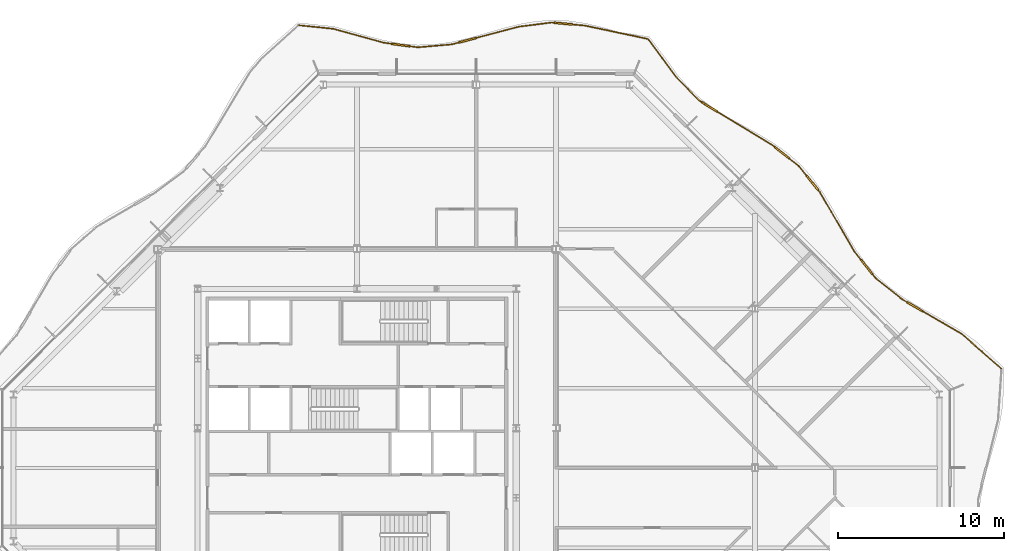
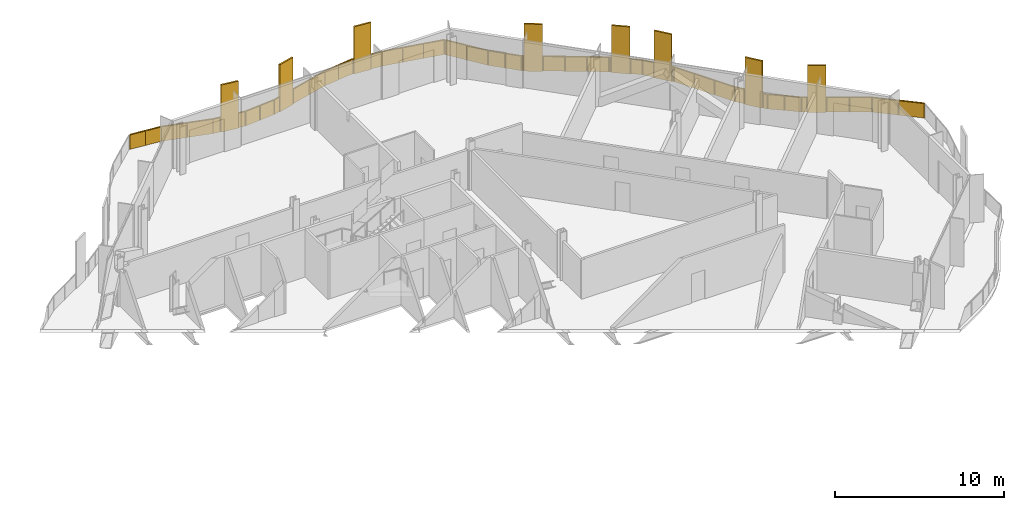
# One storey, part 17 of 17: 2 railings.
"""IFC4 building model written with IfcOpenShell, lengths in metres."""

from ifc_helpers import new_model, si_unit, direction, frame, origin, origin_2d, place, context, subcontext, project, spatial, polyline, rectangle, outline, extrude, material, type_object, element, save


model = new_model("IFC4")

# Units and contexts
model_context = context("Model", 3, precision=1e-05, world=origin(), true_north=direction((0.0, 1.0)))
body_context = subcontext(model_context, "Body", "Model", "MODEL_VIEW")
ifc_project = project(units=[si_unit("LENGTHUNIT", "METRE"), si_unit("AREAUNIT", "SQUARE_METRE"), si_unit("VOLUMEUNIT", "CUBIC_METRE"), si_unit("PLANEANGLEUNIT", "RADIAN"), si_unit("MASSUNIT", "GRAM", prefix="KILO")], contexts=[model_context])

# Site, building, storey
site_placement = place(None, origin())
site = spatial("IfcSite", under=ifc_project, at=site_placement, CompositionType="ELEMENT")
building_placement = place(site_placement, origin())
building = spatial("IfcBuilding", under=site, at=building_placement, Name="Cairn Pilgrim Tower", CompositionType="ELEMENT")
storey_placement = place(building_placement, frame((0.0, 0.0, 214.199951171875)))
storey = spatial("IfcBuildingStorey", under=building, at=storey_placement, Name="L54", CompositionType="ELEMENT", Elevation=214.199951171875)

# Railings
ifc_material = material(Name="Bronze anodised aluminium rail, posts and fin screens with laminated glass infill", Category="aluminium")
railing_type = type_object("IfcRailingType", Name="BALCONY GUARD WITH FIN SCREENS", PredefinedType="GUARDRAIL", material=ifc_material)
railing_1_placement = place(storey_placement, frame((46.045166015625, 5.978759765625, 0.0)))
element("IfcRailing", 1, at=railing_1_placement, inside=storey, type_object=railing_type, Name="Balcony guard BGF-3 with fin screens", PredefinedType="GUARDRAIL", context=body_context, shape_type="SweptSolid", body=[
    extrude(rectangle(XDim=0.050048828125, YDim=0.050048828125, at=origin_2d()), frame((0.0, 0.0, 1.0751953125), z_axis=(-0.751598432487, 0.659620948942, 0.0), x_axis=(-0.659620948942, -0.751598432487, 0.0)), (0.0, 0.0, 1.0), 3.171875),
    extrude(rectangle(XDim=1.10009765625, YDim=0.110107421875, at=origin_2d()), frame((-5.202880859375, 3.730712890625, 0.0), z_axis=(0.0, 0.0, 1.0), x_axis=(-0.864559393081, 0.502530651638, 0.0)), (0.0, 0.0, 1.0), 3.39990234375),
    extrude(rectangle(XDim=0.050048828125, YDim=0.050048828125, at=origin_2d()), frame((-2.384033203125, 2.09228515625, 1.0751953125), z_axis=(-0.864559393081, 0.502530651638, 0.0), x_axis=(-0.502530651638, -0.864559393081, 0.0)), (0.0, 0.0, 1.0), 2.71044921875),
    extrude(rectangle(XDim=0.050048828125, YDim=0.050048828125, at=origin_2d()), frame((-5.67822265625, 4.007080078125, 1.0751953125), z_axis=(-0.864559393081, 0.502530651638, 0.0), x_axis=(-0.502530651638, -0.864559393081, 0.0)), (0.0, 0.0, 1.0), 0.347900390625),
    extrude(rectangle(XDim=0.050048828125, YDim=0.050048828125, at=origin_2d()), frame((-5.97900390625, 4.181884765625, 1.0751953125), z_axis=(-0.780543571539, 0.625101378122, 0.0), x_axis=(-0.625101378122, -0.780543571539, 0.0)), (0.0, 0.0, 1.0), 2.05126953125),
    extrude(rectangle(XDim=1.10009765625, YDim=0.110107421875, at=origin_2d()), frame((-8.1171875, 6.13427734375, 0.0), z_axis=(0.0, 0.0, 1.0), x_axis=(-0.625434995338, 0.78027627582, 0.0)), (0.0, 0.0, 1.0), 3.39990234375),
    extrude(rectangle(XDim=0.050048828125, YDim=0.050048828125, at=origin_2d()), frame((-7.580078125, 5.464111328125, 1.0751953125), z_axis=(-0.625434995338, 0.78027627582, 0.0), x_axis=(-0.78027627582, -0.625434995338, 0.0)), (0.0, 0.0, 1.0), 0.308837890625),
    extrude(rectangle(XDim=0.050048828125, YDim=0.050048828125, at=origin_2d()), frame((-8.461181640625, 6.5634765625, 1.0751953125), z_axis=(-0.625434995338, 0.78027627582, 0.0), x_axis=(-0.78027627582, -0.625434995338, 0.0)), (0.0, 0.0, 1.0), 0.642333984375),
    extrude(rectangle(XDim=0.050048828125, YDim=0.050048828125, at=origin_2d()), frame((-8.863037109375, 7.064697265625, 1.0751953125), z_axis=(-0.502495014127, 0.864580106628, 0.0), x_axis=(-0.864580106628, -0.502495014127, 0.0)), (0.0, 0.0, 1.0), 4.160888671875),
    extrude(rectangle(XDim=1.10009765625, YDim=0.110107421875, at=origin_2d()), frame((-11.39404296875, 11.20654296875, 0.0), z_axis=(0.0, 0.0, 1.0), x_axis=(-0.628761518561, 0.777598194942, 0.0)), (0.0, 0.0, 1.0), 3.39990234375),
    extrude(rectangle(XDim=0.050048828125, YDim=0.050048828125, at=origin_2d()), frame((-10.953857421875, 10.662109375, 1.0751953125), z_axis=(-0.628761518561, 0.777598194942, 0.0), x_axis=(-0.777598194942, -0.628761518561, 0.0)), (0.0, 0.0, 1.0), 0.150146484375),
    extrude(rectangle(XDim=0.050048828125, YDim=0.050048828125, at=origin_2d()), frame((-11.739990234375, 11.63427734375, 1.0751953125), z_axis=(-0.628761518561, 0.777598194942, 0.0), x_axis=(-0.777598194942, -0.628761518561, 0.0)), (0.0, 0.0, 1.0), 0.744384765625),
    extrude(rectangle(XDim=1.10009765625, YDim=0.110107421875, at=origin_2d()), frame((-13.22509765625, 13.0205078125, 0.0), z_axis=(0.0, 0.0, 1.0), x_axis=(-0.78322281061, 0.62174112695, 0.0)), (0.0, 0.0, 1.0), 3.39990234375),
    extrude(rectangle(XDim=0.050048828125, YDim=0.050048828125, at=origin_2d()), frame((-12.2080078125, 12.213134765625, 1.0751953125), z_axis=(-0.78322281061, 0.62174112695, 0.0), x_axis=(-0.62174112695, -0.78322281061, 0.0)), (0.0, 0.0, 1.0), 0.74853515625),
    extrude(rectangle(XDim=0.050048828125, YDim=0.050048828125, at=origin_2d()), frame((-13.656005859375, 13.362548828125, 1.0751953125), z_axis=(-0.78322281061, 0.62174112695, 0.0), x_axis=(-0.62174112695, -0.78322281061, 0.0)), (0.0, 0.0, 1.0), 0.150146484375),
    extrude(rectangle(XDim=1.10009765625, YDim=0.110107421875, at=origin_2d()), frame((-17.602294921875, 15.788818359375, 0.0), z_axis=(0.0, 0.0, 1.0), x_axis=(-0.853965647619, 0.520329388644, 0.0)), (0.0, 0.0, 1.0), 3.39990234375),
    extrude(rectangle(XDim=0.050048828125, YDim=0.050048828125, at=origin_2d()), frame((-13.7734375, 13.455810546875, 1.0751953125), z_axis=(-0.853965647619, 0.520329388644, 0.0), x_axis=(-0.520329388644, -0.853965647619, 0.0)), (0.0, 0.0, 1.0), 3.933837890625),
    extrude(rectangle(XDim=0.050048828125, YDim=0.050048828125, at=origin_2d()), frame((-18.072021484375, 16.074951171875, 1.0751953125), z_axis=(-0.853965647619, 0.520329388644, 0.0), x_axis=(-0.520329388644, -0.853965647619, 0.0)), (0.0, 0.0, 1.0), 0.14990234375),
    extrude(rectangle(XDim=0.050048828125, YDim=0.050048828125, at=origin_2d()), frame((-18.2001953125, 16.153076171875, 1.0751953125), z_axis=(-0.699951774682, 0.714190109928, 0.0), x_axis=(-0.714190109928, -0.699951774682, 0.0)), (0.0, 0.0, 1.0), 2.04052734375),
    extrude(rectangle(XDim=0.050048828125, YDim=0.050048828125, at=origin_2d()), frame((-19.62841796875, 17.6103515625, 1.0751953125), z_axis=(-0.594838435105, 0.803845281209, 0.0), x_axis=(-0.803845281209, -0.594838435105, 0.0)), (0.0, 0.0, 1.0), 2.761474609375),
    extrude(rectangle(XDim=0.050048828125, YDim=0.050048828125, at=origin_2d()), origin(), (0.0, 0.0, 1.0), 1.050048828125),
    extrude(rectangle(XDim=0.050048828125, YDim=0.050048828125, at=origin_2d()), frame((-1.19189453125, 1.046142578125, 0.0)), (0.0, 0.0, 1.0), 1.050048828125),
    extrude(rectangle(XDim=0.050048828125, YDim=0.050048828125, at=origin_2d()), frame((-2.384033203125, 2.09228515625, 0.0)), (0.0, 0.0, 1.0), 1.050048828125),
    extrude(rectangle(XDim=0.050048828125, YDim=0.050048828125, at=origin_2d()), frame((-3.544921875, 2.76708984375, 0.0)), (0.0, 0.0, 1.0), 1.050048828125),
    extrude(rectangle(XDim=0.050048828125, YDim=0.050048828125, at=origin_2d()), frame((-4.70556640625, 3.441650390625, 0.0)), (0.0, 0.0, 1.0), 1.050048828125),
    extrude(rectangle(XDim=0.050048828125, YDim=0.050048828125, at=origin_2d()), frame((-5.699951171875, 4.019775390625, 0.0)), (0.0, 0.0, 1.0), 1.050048828125),
    extrude(rectangle(XDim=0.050048828125, YDim=0.050048828125, at=origin_2d()), frame((-5.97900390625, 4.181884765625, 0.0)), (0.0, 0.0, 1.0), 1.050048828125),
    extrude(rectangle(XDim=0.050048828125, YDim=0.050048828125, at=origin_2d()), frame((-6.779541015625, 4.822998046875, 0.0)), (0.0, 0.0, 1.0), 1.050048828125),
    extrude(rectangle(XDim=0.050048828125, YDim=0.050048828125, at=origin_2d()), frame((-7.580078125, 5.464111328125, 0.0)), (0.0, 0.0, 1.0), 1.050048828125),
    extrude(rectangle(XDim=0.050048828125, YDim=0.050048828125, at=origin_2d()), frame((-7.757568359375, 5.685546875, 0.0)), (0.0, 0.0, 1.0), 1.050048828125),
    extrude(rectangle(XDim=0.050048828125, YDim=0.050048828125, at=origin_2d()), frame((-8.476806640625, 6.5830078125, 0.0)), (0.0, 0.0, 1.0), 1.050048828125),
    extrude(rectangle(XDim=0.050048828125, YDim=0.050048828125, at=origin_2d()), frame((-8.863037109375, 7.064697265625, 0.0)), (0.0, 0.0, 1.0), 1.050048828125),
    extrude(rectangle(XDim=0.050048828125, YDim=0.050048828125, at=origin_2d()), frame((-9.56005859375, 8.263916015625, 0.0)), (0.0, 0.0, 1.0), 1.050048828125),
    extrude(rectangle(XDim=0.050048828125, YDim=0.050048828125, at=origin_2d()), frame((-10.2568359375, 9.462890625, 0.0)), (0.0, 0.0, 1.0), 1.050048828125),
    extrude(rectangle(XDim=0.050048828125, YDim=0.050048828125, at=origin_2d()), frame((-10.953857421875, 10.662109375, 0.0)), (0.0, 0.0, 1.0), 1.050048828125),
    extrude(rectangle(XDim=0.050048828125, YDim=0.050048828125, at=origin_2d()), frame((-11.032470703125, 10.759521484375, 0.0)), (0.0, 0.0, 1.0), 1.050048828125),
    extrude(rectangle(XDim=0.050048828125, YDim=0.050048828125, at=origin_2d()), frame((-11.755615234375, 11.65380859375, 0.0)), (0.0, 0.0, 1.0), 1.050048828125),
    extrude(rectangle(XDim=0.050048828125, YDim=0.050048828125, at=origin_2d()), frame((-12.2080078125, 12.213134765625, 0.0)), (0.0, 0.0, 1.0), 1.050048828125),
    extrude(rectangle(XDim=0.050048828125, YDim=0.050048828125, at=origin_2d()), frame((-12.774658203125, 12.6630859375, 0.0)), (0.0, 0.0, 1.0), 1.050048828125),
    extrude(rectangle(XDim=0.050048828125, YDim=0.050048828125, at=origin_2d()), frame((-13.675537109375, 13.378173828125, 0.0)), (0.0, 0.0, 1.0), 1.050048828125),
    extrude(rectangle(XDim=0.050048828125, YDim=0.050048828125, at=origin_2d()), frame((-13.7734375, 13.455810546875, 0.0)), (0.0, 0.0, 1.0), 1.050048828125),
    extrude(rectangle(XDim=0.050048828125, YDim=0.050048828125, at=origin_2d()), frame((-14.885986328125, 14.1337890625, 0.0)), (0.0, 0.0, 1.0), 1.050048828125),
    extrude(rectangle(XDim=0.050048828125, YDim=0.050048828125, at=origin_2d()), frame((-15.998779296875, 14.811767578125, 0.0)), (0.0, 0.0, 1.0), 1.050048828125),
    extrude(rectangle(XDim=0.050048828125, YDim=0.050048828125, at=origin_2d()), frame((-17.111328125, 15.48974609375, 0.0)), (0.0, 0.0, 1.0), 1.050048828125),
    extrude(rectangle(XDim=0.050048828125, YDim=0.050048828125, at=origin_2d()), frame((-18.093505859375, 16.088134765625, 0.0)), (0.0, 0.0, 1.0), 1.050048828125),
    extrude(rectangle(XDim=0.050048828125, YDim=0.050048828125, at=origin_2d()), frame((-18.2001953125, 16.153076171875, 0.0)), (0.0, 0.0, 1.0), 1.050048828125),
    extrude(rectangle(XDim=0.050048828125, YDim=0.050048828125, at=origin_2d()), frame((-18.914306640625, 16.8818359375, 0.0)), (0.0, 0.0, 1.0), 1.050048828125),
    extrude(rectangle(XDim=0.050048828125, YDim=0.050048828125, at=origin_2d()), frame((-19.62841796875, 17.6103515625, 0.0)), (0.0, 0.0, 1.0), 1.050048828125),
    extrude(rectangle(XDim=0.050048828125, YDim=0.050048828125, at=origin_2d()), frame((-20.44970703125, 18.72021484375, 0.0)), (0.0, 0.0, 1.0), 1.050048828125),
    extrude(rectangle(XDim=0.050048828125, YDim=0.050048828125, at=origin_2d()), frame((-21.27099609375, 19.830078125, 0.0)), (0.0, 0.0, 1.0), 1.050048828125),
    extrude(outline(polyline([(0.02490234375, 0.0), (1.56103515625, 0.0), (1.56103515625, 1.050048828125), (0.02490234375, 1.050048828125), (0.02490234375, 0.0)])), frame((-0.00390625, -0.00439453125, 0.0), z_axis=(0.659620948942, 0.751598432487, 0.0), x_axis=(-0.751598432487, 0.659620948942, 0.0)), (0.0, 0.0, 1.0), 0.011962890625),
    extrude(outline(polyline([(0.02490234375, 0.0), (1.56103515625, 0.0), (1.56103515625, 1.050048828125), (0.02490234375, 1.050048828125), (0.02490234375, 0.0)])), frame((-1.196044921875, 1.041748046875, 0.0), z_axis=(0.659620948942, 0.751598432487, 0.0), x_axis=(-0.751598432487, 0.659620948942, 0.0)), (0.0, 0.0, 1.0), 0.011962890625),
    extrude(outline(polyline([(0.02490234375, 0.0), (1.317626953125, 0.0), (1.317626953125, 1.050048828125), (0.02490234375, 1.050048828125), (0.02490234375, 0.0)])), frame((-2.386962890625, 2.087158203125, 0.0), z_axis=(0.502530651638, 0.864559393081, 0.0), x_axis=(-0.864559393081, 0.502530651638, 0.0)), (0.0, 0.0, 1.0), 0.011962890625),
    extrude(outline(polyline([(0.02490234375, 0.0), (1.317626953125, 0.0), (1.317626953125, 1.050048828125), (0.02490234375, 1.050048828125), (0.02490234375, 0.0)])), frame((-3.5478515625, 2.761962890625, 0.0), z_axis=(0.502530651638, 0.864559393081, 0.0), x_axis=(-0.864559393081, 0.502530651638, 0.0)), (0.0, 0.0, 1.0), 0.011962890625),
    extrude(outline(polyline([(0.02490234375, 0.0), (0.2978515625, 0.0), (0.2978515625, 1.050048828125), (0.02490234375, 1.050048828125), (0.02490234375, 0.0)])), frame((-5.702880859375, 4.014404296875, 0.0), z_axis=(0.502530651638, 0.864559393081, 0.0), x_axis=(-0.864559393081, 0.502530651638, 0.0)), (0.0, 0.0, 1.0), 0.011962890625),
    extrude(outline(polyline([(0.02490234375, 0.0), (1.00048828125, 0.0), (1.00048828125, 1.050048828125), (0.02490234375, 1.050048828125), (0.02490234375, 0.0)])), frame((-5.982666015625, 4.17724609375, 0.0), z_axis=(0.625101378122, 0.780543571539, 0.0), x_axis=(-0.780543571539, 0.625101378122, 0.0)), (0.0, 0.0, 1.0), 0.011962890625),
    extrude(outline(polyline([(0.02490234375, 0.0), (1.00048828125, 0.0), (1.00048828125, 1.050048828125), (0.02490234375, 1.050048828125), (0.02490234375, 0.0)])), frame((-6.783203125, 4.818359375, 0.0), z_axis=(0.625101378122, 0.780543571539, 0.0), x_axis=(-0.780543571539, 0.625101378122, 0.0)), (0.0, 0.0, 1.0), 0.011962890625),
    extrude(outline(polyline([(0.02490234375, 0.0), (0.2587890625, 0.0), (0.2587890625, 1.050048828125), (0.02490234375, 1.050048828125), (0.02490234375, 0.0)])), frame((-7.584716796875, 5.46044921875, 0.0), z_axis=(0.78027627582, 0.625434995338, 0.0), x_axis=(-0.625434995338, 0.78027627582, 0.0)), (0.0, 0.0, 1.0), 0.011962890625),
    extrude(outline(polyline([(0.02490234375, 0.0), (0.59228515625, 0.0), (0.59228515625, 1.050048828125), (0.02490234375, 1.050048828125), (0.02490234375, 0.0)])), frame((-8.4814453125, 6.5791015625, 0.0), z_axis=(0.78027627582, 0.625434995338, 0.0), x_axis=(-0.625434995338, 0.78027627582, 0.0)), (0.0, 0.0, 1.0), 0.011962890625),
    extrude(outline(polyline([(0.02490234375, 0.0), (1.36181640625, 0.0), (1.36181640625, 1.050048828125), (0.02490234375, 1.050048828125), (0.02490234375, 0.0)])), frame((-8.8681640625, 7.061767578125, 0.0), z_axis=(0.864580106628, 0.502495014127, 0.0), x_axis=(-0.502495014127, 0.864580106628, 0.0)), (0.0, 0.0, 1.0), 0.011962890625),
    extrude(outline(polyline([(0.02490234375, 0.0), (1.36181640625, 0.0), (1.36181640625, 1.050048828125), (0.02490234375, 1.050048828125), (0.02490234375, 0.0)])), frame((-9.565185546875, 8.2607421875, 0.0), z_axis=(0.864580106628, 0.502495014127, 0.0), x_axis=(-0.502495014127, 0.864580106628, 0.0)), (0.0, 0.0, 1.0), 0.011962890625),
    extrude(outline(polyline([(0.02490234375, 0.0), (1.36181640625, 0.0), (1.36181640625, 1.050048828125), (0.02490234375, 1.050048828125), (0.02490234375, 0.0)])), frame((-10.26220703125, 9.4599609375, 0.0), z_axis=(0.864580106628, 0.502495014127, 0.0), x_axis=(-0.502495014127, 0.864580106628, 0.0)), (0.0, 0.0, 1.0), 0.011962890625),
    extrude(outline(polyline([(0.02490234375, 0.0), (0.10009765625, 0.0), (0.10009765625, 1.050048828125), (0.02490234375, 1.050048828125), (0.02490234375, 0.0)])), frame((-10.95849609375, 10.658447265625, 0.0), z_axis=(0.777598194942, 0.628761518561, 0.0), x_axis=(-0.628761518561, 0.777598194942, 0.0)), (0.0, 0.0, 1.0), 0.011962890625),
    extrude(outline(polyline([(0.02490234375, 0.0), (0.6943359375, 0.0), (0.6943359375, 1.050048828125), (0.02490234375, 1.050048828125), (0.02490234375, 0.0)])), frame((-11.76025390625, 11.64990234375, 0.0), z_axis=(0.777598194942, 0.628761518561, 0.0), x_axis=(-0.628761518561, 0.777598194942, 0.0)), (0.0, 0.0, 1.0), 0.011962890625),
    extrude(outline(polyline([(0.02490234375, 0.0), (0.698486328125, 0.0), (0.698486328125, 1.050048828125), (0.02490234375, 1.050048828125), (0.02490234375, 0.0)])), frame((-12.211669921875, 12.20849609375, 0.0), z_axis=(0.62174112695, 0.78322281061, 0.0), x_axis=(-0.78322281061, 0.62174112695, 0.0)), (0.0, 0.0, 1.0), 0.011962890625),
    extrude(outline(polyline([(0.02490234375, 0.0), (0.10009765625, 0.0), (0.10009765625, 1.050048828125), (0.02490234375, 1.050048828125), (0.02490234375, 0.0)])), frame((-13.67919921875, 13.373291015625, 0.0), z_axis=(0.62174112695, 0.78322281061, 0.0), x_axis=(-0.78322281061, 0.62174112695, 0.0)), (0.0, 0.0, 1.0), 0.011962890625),
    extrude(outline(polyline([(0.02490234375, 0.0), (1.27783203125, 0.0), (1.27783203125, 1.050048828125), (0.02490234375, 1.050048828125), (0.02490234375, 0.0)])), frame((-13.776611328125, 13.45068359375, 0.0), z_axis=(0.520329388644, 0.853965647619, 0.0), x_axis=(-0.853965647619, 0.520329388644, 0.0)), (0.0, 0.0, 1.0), 0.011962890625),
    extrude(outline(polyline([(0.02490234375, 0.0), (1.27783203125, 0.0), (1.27783203125, 1.050048828125), (0.02490234375, 1.050048828125), (0.02490234375, 0.0)])), frame((-14.88916015625, 14.128662109375, 0.0), z_axis=(0.520329388644, 0.853965647619, 0.0), x_axis=(-0.853965647619, 0.520329388644, 0.0)), (0.0, 0.0, 1.0), 0.011962890625),
    extrude(outline(polyline([(0.02490234375, 0.0), (1.27783203125, 0.0), (1.27783203125, 1.050048828125), (0.02490234375, 1.050048828125), (0.02490234375, 0.0)])), frame((-16.001708984375, 14.806640625, 0.0), z_axis=(0.520329388644, 0.853965647619, 0.0), x_axis=(-0.853965647619, 0.520329388644, 0.0)), (0.0, 0.0, 1.0), 0.011962890625),
    extrude(outline(polyline([(0.02490234375, 0.0), (0.099853515625, 0.0), (0.099853515625, 1.050048828125), (0.02490234375, 1.050048828125), (0.02490234375, 0.0)])), frame((-18.0966796875, 16.0830078125, 0.0), z_axis=(0.520329388644, 0.853965647619, 0.0), x_axis=(-0.853965647619, 0.520329388644, 0.0)), (0.0, 0.0, 1.0), 0.011962890625),
    extrude(outline(polyline([(0.02490234375, 0.0), (0.9951171875, 0.0), (0.9951171875, 1.050048828125), (0.02490234375, 1.050048828125), (0.02490234375, 0.0)])), frame((-18.204345703125, 16.14892578125, 0.0), z_axis=(0.714190109928, 0.699951774682, 0.0), x_axis=(-0.699951774682, 0.714190109928, 0.0)), (0.0, 0.0, 1.0), 0.011962890625),
    extrude(outline(polyline([(0.02490234375, 0.0), (0.9951171875, 0.0), (0.9951171875, 1.050048828125), (0.02490234375, 1.050048828125), (0.02490234375, 0.0)])), frame((-18.91845703125, 16.87744140625, 0.0), z_axis=(0.714190109928, 0.699951774682, 0.0), x_axis=(-0.699951774682, 0.714190109928, 0.0)), (0.0, 0.0, 1.0), 0.011962890625),
    extrude(outline(polyline([(0.02490234375, 0.0), (1.355712890625, 0.0), (1.355712890625, 1.050048828125), (0.02490234375, 1.050048828125), (0.02490234375, 0.0)])), frame((-19.63330078125, 17.606689453125, 0.0), z_axis=(0.803845281209, 0.594838435105, 0.0), x_axis=(-0.594838435105, 0.803845281209, 0.0)), (0.0, 0.0, 1.0), 0.011962890625),
    extrude(outline(polyline([(0.02490234375, 0.0), (1.355712890625, 0.0), (1.355712890625, 1.050048828125), (0.02490234375, 1.050048828125), (0.02490234375, 0.0)])), frame((-20.45458984375, 18.716552734375, 0.0), z_axis=(0.803845281209, 0.594838435105, 0.0), x_axis=(-0.594838435105, 0.803845281209, 0.0)), (0.0, 0.0, 1.0), 0.011962890625),
])
railing_2_placement = place(storey_placement, frame((24.73828125, 25.85693359375, 0.0)))
element("IfcRailing", 2, at=railing_2_placement, inside=storey, type_object=railing_type, Name="Balcony guard BGF-4 with fin screens", PredefinedType="GUARDRAIL", context=body_context, shape_type="SweptSolid", body=[
    extrude(rectangle(XDim=0.050048828125, YDim=0.050048828125, at=origin_2d()), frame((0.0, 0.0, 1.0751953125), z_axis=(-0.978324682493, 0.207076835074, 0.0), x_axis=(-0.207076835074, -0.978324682493, 0.0)), (0.0, 0.0, 1.0), 3.87646484375),
    extrude(rectangle(XDim=1.10009765625, YDim=0.110107421875, at=origin_2d()), frame((-5.091552734375, 0.925048828125, 0.0), z_axis=(0.0, 0.0, 1.0), x_axis=(-0.995594528635, 0.093763183348, 0.0)), (0.0, 0.0, 1.0), 3.39990234375),
    extrude(rectangle(XDim=0.050048828125, YDim=0.050048828125, at=origin_2d()), frame((-3.79248046875, 0.802734375, 1.0751953125), z_axis=(-0.995594528635, 0.093763183348, 0.0), x_axis=(-0.093763183348, -0.995594528635, 0.0)), (0.0, 0.0, 1.0), 0.7548828125),
    extrude(rectangle(XDim=0.050048828125, YDim=0.050048828125, at=origin_2d()), frame((-5.63916015625, 0.9765625, 1.0751953125), z_axis=(-0.995594528635, 0.093763183348, 0.0), x_axis=(-0.093763183348, -0.995594528635, 0.0)), (0.0, 0.0, 1.0), 0.150146484375),
    extrude(rectangle(XDim=0.050048828125, YDim=0.050048828125, at=origin_2d()), frame((-5.78857421875, 0.99072265625, 1.0751953125), z_axis=(-0.992010349211, -0.126156518094, 0.0), x_axis=(0.126156518094, -0.992010349211, 0.0)), (0.0, 0.0, 1.0), 2.0107421875),
    extrude(rectangle(XDim=1.10009765625, YDim=0.110107421875, at=origin_2d()), frame((-10.87353515625, -0.077880859375, 0.0), z_axis=(0.0, 0.0, 1.0), x_axis=(-0.966948932904, -0.254970118164, 0.0)), (0.0, 0.0, 1.0), 3.39990234375),
    extrude(rectangle(XDim=0.050048828125, YDim=0.050048828125, at=origin_2d()), frame((-7.783203125, 0.737060546875, 1.0751953125), z_axis=(-0.966948932904, -0.254970118164, 0.0), x_axis=(0.254970118164, -0.966948932904, 0.0)), (0.0, 0.0, 1.0), 2.64599609375),
    extrude(rectangle(XDim=0.050048828125, YDim=0.050048828125, at=origin_2d()), frame((-11.4052734375, -0.218017578125, 1.0751953125), z_axis=(-0.966948932904, -0.254970118164, 0.0), x_axis=(0.254970118164, -0.966948932904, 0.0)), (0.0, 0.0, 1.0), 0.4375),
    extrude(rectangle(XDim=0.050048828125, YDim=0.050048828125, at=origin_2d()), frame((-11.828369140625, -0.32958984375, 1.0751953125), z_axis=(-0.996386054197, -0.084940161305, 0.0), x_axis=(0.084940161305, -0.996386054197, 0.0)), (0.0, 0.0, 1.0), 2.057861328125),
    extrude(rectangle(XDim=1.10009765625, YDim=0.110107421875, at=origin_2d()), frame((-14.90234375, -0.36572265625, 0.0), z_axis=(0.0, 0.0, 1.0), x_axis=(-0.990933421448, 0.134353839755, 0.0)), (0.0, 0.0, 1.0), 3.39990234375),
    extrude(rectangle(XDim=0.050048828125, YDim=0.050048828125, at=origin_2d()), frame((-13.87890625, -0.50439453125, 1.0751953125), z_axis=(-0.990933421448, 0.134353839755, 0.0), x_axis=(-0.134353839755, -0.990933421448, 0.0)), (0.0, 0.0, 1.0), 0.48291015625),
    extrude(rectangle(XDim=0.050048828125, YDim=0.050048828125, at=origin_2d()), frame((-15.447509765625, -0.291748046875, 1.0751953125), z_axis=(-0.990933421448, 0.134353839755, 0.0), x_axis=(-0.134353839755, -0.990933421448, 0.0)), (0.0, 0.0, 1.0), 0.483154296875),
    extrude(rectangle(XDim=0.050048828125, YDim=0.050048828125, at=origin_2d()), frame((-15.92626953125, -0.226806640625, 1.0751953125), z_axis=(-0.963870974004, 0.266369565591, 0.0), x_axis=(-0.266369565591, -0.963870974004, 0.0)), (0.0, 0.0, 1.0), 3.142822265625),
    extrude(rectangle(XDim=0.050048828125, YDim=0.050048828125, at=origin_2d()), frame((-18.95556640625, 0.6103515625, 1.0751953125), z_axis=(-0.99476228795, 0.102215412113, 0.0), x_axis=(-0.102215412113, -0.99476228795, 0.0)), (0.0, 0.0, 1.0), 2.058837890625),
    extrude(rectangle(XDim=0.050048828125, YDim=0.050048828125, at=origin_2d()), origin(), (0.0, 0.0, 1.0), 1.050048828125),
    extrude(rectangle(XDim=0.050048828125, YDim=0.050048828125, at=origin_2d()), frame((-1.26416015625, 0.267578125, 0.0)), (0.0, 0.0, 1.0), 1.050048828125),
    extrude(rectangle(XDim=0.050048828125, YDim=0.050048828125, at=origin_2d()), frame((-2.5283203125, 0.53515625, 0.0)), (0.0, 0.0, 1.0), 1.050048828125),
    extrude(rectangle(XDim=0.050048828125, YDim=0.050048828125, at=origin_2d()), frame((-3.79248046875, 0.802734375, 0.0)), (0.0, 0.0, 1.0), 1.050048828125),
    extrude(rectangle(XDim=0.050048828125, YDim=0.050048828125, at=origin_2d()), frame((-4.51904296875, 0.87109375, 0.0)), (0.0, 0.0, 1.0), 1.050048828125),
    extrude(rectangle(XDim=0.050048828125, YDim=0.050048828125, at=origin_2d()), frame((-5.6640625, 0.97900390625, 0.0)), (0.0, 0.0, 1.0), 1.050048828125),
    extrude(rectangle(XDim=0.050048828125, YDim=0.050048828125, at=origin_2d()), frame((-5.78857421875, 0.99072265625, 0.0)), (0.0, 0.0, 1.0), 1.050048828125),
    extrude(rectangle(XDim=0.050048828125, YDim=0.050048828125, at=origin_2d()), frame((-6.785888671875, 0.86376953125, 0.0)), (0.0, 0.0, 1.0), 1.050048828125),
    extrude(rectangle(XDim=0.050048828125, YDim=0.050048828125, at=origin_2d()), frame((-7.783203125, 0.737060546875, 0.0)), (0.0, 0.0, 1.0), 1.050048828125),
    extrude(rectangle(XDim=0.050048828125, YDim=0.050048828125, at=origin_2d()), frame((-9.05029296875, 0.40283203125, 0.0)), (0.0, 0.0, 1.0), 1.050048828125),
    extrude(rectangle(XDim=0.050048828125, YDim=0.050048828125, at=origin_2d()), frame((-10.317626953125, 0.06884765625, 0.0)), (0.0, 0.0, 1.0), 1.050048828125),
    extrude(rectangle(XDim=0.050048828125, YDim=0.050048828125, at=origin_2d()), frame((-11.4296875, -0.224365234375, 0.0)), (0.0, 0.0, 1.0), 1.050048828125),
    extrude(rectangle(XDim=0.050048828125, YDim=0.050048828125, at=origin_2d()), frame((-11.828369140625, -0.32958984375, 0.0)), (0.0, 0.0, 1.0), 1.050048828125),
    extrude(rectangle(XDim=0.050048828125, YDim=0.050048828125, at=origin_2d()), frame((-12.853515625, -0.4169921875, 0.0)), (0.0, 0.0, 1.0), 1.050048828125),
    extrude(rectangle(XDim=0.050048828125, YDim=0.050048828125, at=origin_2d()), frame((-13.87890625, -0.50439453125, 0.0)), (0.0, 0.0, 1.0), 1.050048828125),
    extrude(rectangle(XDim=0.050048828125, YDim=0.050048828125, at=origin_2d()), frame((-14.33251953125, -0.44287109375, 0.0)), (0.0, 0.0, 1.0), 1.050048828125),
    extrude(rectangle(XDim=0.050048828125, YDim=0.050048828125, at=origin_2d()), frame((-15.47216796875, -0.288330078125, 0.0)), (0.0, 0.0, 1.0), 1.050048828125),
    extrude(rectangle(XDim=0.050048828125, YDim=0.050048828125, at=origin_2d()), frame((-15.92626953125, -0.226806640625, 0.0)), (0.0, 0.0, 1.0), 1.050048828125),
    extrude(rectangle(XDim=0.050048828125, YDim=0.050048828125, at=origin_2d()), frame((-17.44091796875, 0.19189453125, 0.0)), (0.0, 0.0, 1.0), 1.050048828125),
    extrude(rectangle(XDim=0.050048828125, YDim=0.050048828125, at=origin_2d()), frame((-18.95556640625, 0.6103515625, 0.0)), (0.0, 0.0, 1.0), 1.050048828125),
    extrude(rectangle(XDim=0.050048828125, YDim=0.050048828125, at=origin_2d()), frame((-19.9794921875, 0.715576171875, 0.0)), (0.0, 0.0, 1.0), 1.050048828125),
    extrude(rectangle(XDim=0.050048828125, YDim=0.050048828125, at=origin_2d()), frame((-21.003662109375, 0.82080078125, 0.0)), (0.0, 0.0, 1.0), 1.050048828125),
    extrude(outline(polyline([(0.02490234375, 0.0), (1.26708984375, 0.0), (1.26708984375, 1.050048828125), (0.02490234375, 1.050048828125), (0.02490234375, 0.0)])), frame((-0.001220703125, -0.005859375, 0.0), z_axis=(0.207076835074, 0.978324682493, 0.0), x_axis=(-0.978324682493, 0.207076835074, 0.0)), (0.0, 0.0, 1.0), 0.011962890625),
    extrude(outline(polyline([(0.02490234375, 0.0), (1.26708984375, 0.0), (1.26708984375, 1.050048828125), (0.02490234375, 1.050048828125), (0.02490234375, 0.0)])), frame((-1.265380859375, 0.26171875, 0.0), z_axis=(0.207076835074, 0.978324682493, 0.0), x_axis=(-0.978324682493, 0.207076835074, 0.0)), (0.0, 0.0, 1.0), 0.011962890625),
    extrude(outline(polyline([(0.02490234375, 0.0), (1.26708984375, 0.0), (1.26708984375, 1.050048828125), (0.02490234375, 1.050048828125), (0.02490234375, 0.0)])), frame((-2.529541015625, 0.529296875, 0.0), z_axis=(0.207076835074, 0.978324682493, 0.0), x_axis=(-0.978324682493, 0.207076835074, 0.0)), (0.0, 0.0, 1.0), 0.011962890625),
    extrude(outline(polyline([(0.02490234375, 0.0), (0.704833984375, 0.0), (0.704833984375, 1.050048828125), (0.02490234375, 1.050048828125), (0.02490234375, 0.0)])), frame((-3.79296875, 0.796875, 0.0), z_axis=(0.093763183348, 0.995594528635, 0.0), x_axis=(-0.995594528635, 0.093763183348, 0.0)), (0.0, 0.0, 1.0), 0.011962890625),
    extrude(outline(polyline([(0.02490234375, 0.0), (0.10009765625, 0.0), (0.10009765625, 1.050048828125), (0.02490234375, 1.050048828125), (0.02490234375, 0.0)])), frame((-5.664794921875, 0.97314453125, 0.0), z_axis=(0.093763183348, 0.995594528635, 0.0), x_axis=(-0.995594528635, 0.093763183348, 0.0)), (0.0, 0.0, 1.0), 0.011962890625),
    extrude(outline(polyline([(0.02490234375, 0.0), (0.980224609375, 0.0), (0.980224609375, 1.050048828125), (0.02490234375, 1.050048828125), (0.02490234375, 0.0)])), frame((-5.787841796875, 0.98486328125, 0.0), z_axis=(-0.126156518094, 0.992010349211, 0.0), x_axis=(-0.992010349211, -0.126156518094, 0.0)), (0.0, 0.0, 1.0), 0.011962890625),
    extrude(outline(polyline([(0.02490234375, 0.0), (0.980224609375, 0.0), (0.980224609375, 1.050048828125), (0.02490234375, 1.050048828125), (0.02490234375, 0.0)])), frame((-6.78515625, 0.85791015625, 0.0), z_axis=(-0.126156518094, 0.992010349211, 0.0), x_axis=(-0.992010349211, -0.126156518094, 0.0)), (0.0, 0.0, 1.0), 0.011962890625),
    extrude(outline(polyline([(0.02490234375, 0.0), (1.285400390625, 0.0), (1.285400390625, 1.050048828125), (0.02490234375, 1.050048828125), (0.02490234375, 0.0)])), frame((-7.78173828125, 0.731201171875, 0.0), z_axis=(-0.254970118164, 0.966948932904, 0.0), x_axis=(-0.966948932904, -0.254970118164, 0.0)), (0.0, 0.0, 1.0), 0.011962890625),
    extrude(outline(polyline([(0.02490234375, 0.0), (1.285400390625, 0.0), (1.285400390625, 1.050048828125), (0.02490234375, 1.050048828125), (0.02490234375, 0.0)])), frame((-9.048828125, 0.397216796875, 0.0), z_axis=(-0.254970118164, 0.966948932904, 0.0), x_axis=(-0.966948932904, -0.254970118164, 0.0)), (0.0, 0.0, 1.0), 0.011962890625),
    extrude(outline(polyline([(0.02490234375, 0.0), (0.387451171875, 0.0), (0.387451171875, 1.050048828125), (0.02490234375, 1.050048828125), (0.02490234375, 0.0)])), frame((-11.427978515625, -0.230224609375, 0.0), z_axis=(-0.254970118164, 0.966948932904, 0.0), x_axis=(-0.966948932904, -0.254970118164, 0.0)), (0.0, 0.0, 1.0), 0.011962890625),
    extrude(outline(polyline([(0.02490234375, 0.0), (1.00390625, 0.0), (1.00390625, 1.050048828125), (0.02490234375, 1.050048828125), (0.02490234375, 0.0)])), frame((-11.827880859375, -0.33544921875, 0.0), z_axis=(-0.084940161305, 0.996386054197, 0.0), x_axis=(-0.996386054197, -0.084940161305, 0.0)), (0.0, 0.0, 1.0), 0.011962890625),
    extrude(outline(polyline([(0.02490234375, 0.0), (1.00390625, 0.0), (1.00390625, 1.050048828125), (0.02490234375, 1.050048828125), (0.02490234375, 0.0)])), frame((-12.85302734375, -0.4228515625, 0.0), z_axis=(-0.084940161305, 0.996386054197, 0.0), x_axis=(-0.996386054197, -0.084940161305, 0.0)), (0.0, 0.0, 1.0), 0.011962890625),
    extrude(outline(polyline([(0.02490234375, 0.0), (0.432861328125, 0.0), (0.432861328125, 1.050048828125), (0.02490234375, 1.050048828125), (0.02490234375, 0.0)])), frame((-13.879638671875, -0.51025390625, 0.0), z_axis=(0.134353839755, 0.990933421448, 0.0), x_axis=(-0.990933421448, 0.134353839755, 0.0)), (0.0, 0.0, 1.0), 0.011962890625),
    extrude(outline(polyline([(0.02490234375, 0.0), (0.43310546875, 0.0), (0.43310546875, 1.050048828125), (0.02490234375, 1.050048828125), (0.02490234375, 0.0)])), frame((-15.47314453125, -0.294189453125, 0.0), z_axis=(0.134353839755, 0.990933421448, 0.0), x_axis=(-0.990933421448, 0.134353839755, 0.0)), (0.0, 0.0, 1.0), 0.011962890625),
    extrude(outline(polyline([(0.02490234375, 0.0), (1.54638671875, 0.0), (1.54638671875, 1.050048828125), (0.02490234375, 1.050048828125), (0.02490234375, 0.0)])), frame((-15.927978515625, -0.232666015625, 0.0), z_axis=(0.266369565591, 0.963870974004, 0.0), x_axis=(-0.963870974004, 0.266369565591, 0.0)), (0.0, 0.0, 1.0), 0.011962890625),
    extrude(outline(polyline([(0.02490234375, 0.0), (1.54638671875, 0.0), (1.54638671875, 1.050048828125), (0.02490234375, 1.050048828125), (0.02490234375, 0.0)])), frame((-17.442626953125, 0.18603515625, 0.0), z_axis=(0.266369565591, 0.963870974004, 0.0), x_axis=(-0.963870974004, 0.266369565591, 0.0)), (0.0, 0.0, 1.0), 0.011962890625),
    extrude(outline(polyline([(0.02490234375, 0.0), (1.00439453125, 0.0), (1.00439453125, 1.050048828125), (0.02490234375, 1.050048828125), (0.02490234375, 0.0)])), frame((-18.956298828125, 0.6044921875, 0.0), z_axis=(0.102215412113, 0.99476228795, 0.0), x_axis=(-0.99476228795, 0.102215412113, 0.0)), (0.0, 0.0, 1.0), 0.011962890625),
    extrude(outline(polyline([(0.02490234375, 0.0), (1.00439453125, 0.0), (1.00439453125, 1.050048828125), (0.02490234375, 1.050048828125), (0.02490234375, 0.0)])), frame((-19.980224609375, 0.709716796875, 0.0), z_axis=(0.102215412113, 0.99476228795, 0.0), x_axis=(-0.99476228795, 0.102215412113, 0.0)), (0.0, 0.0, 1.0), 0.011962890625),
])

save(model, "model.ifc")
